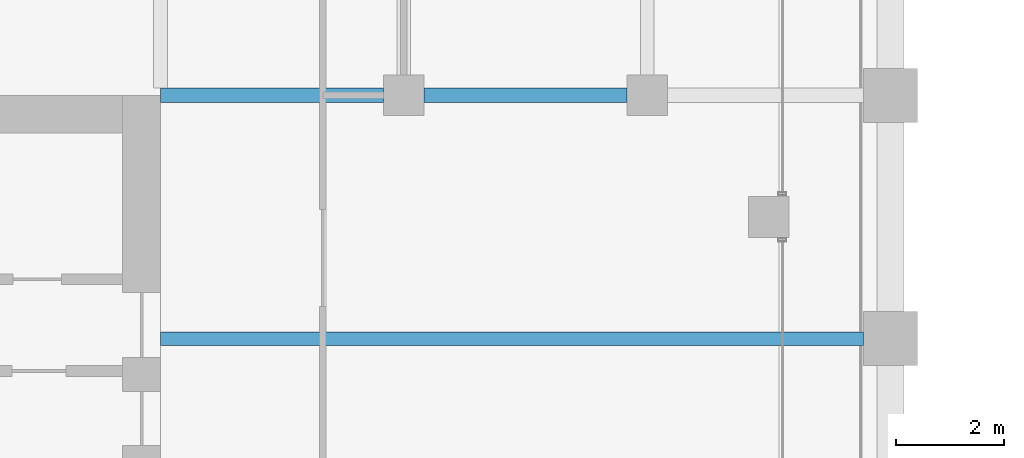
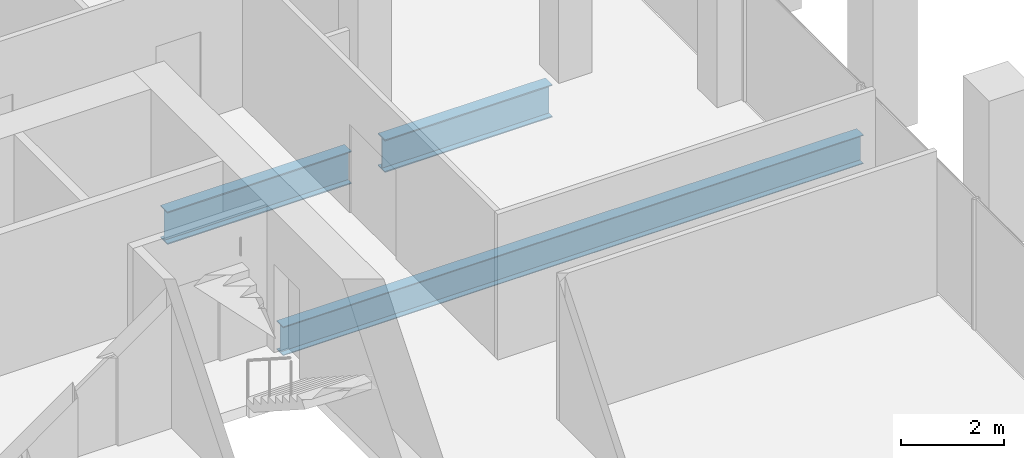
# One storey, part 18 of 46: 3 beams.
"""IFC4 building model written with IfcOpenShell, lengths in metres."""

from ifc_helpers import new_model, si_unit, direction, frame, origin, origin_2d, place, context, subcontext, project, spatial, i_section, extrude, material, material_profile, profile_set, type_object, element, save


model = new_model("IFC4")

# Units and contexts
model_context = context("Model", 3, precision=1e-05, world=origin(), true_north=direction((0.0, 1.0)))
body_context = subcontext(model_context, "Body", "Model", "MODEL_VIEW")
ifc_project = project(units=[si_unit("LENGTHUNIT", "METRE"), si_unit("AREAUNIT", "SQUARE_METRE"), si_unit("VOLUMEUNIT", "CUBIC_METRE"), si_unit("PLANEANGLEUNIT", "RADIAN"), si_unit("MASSUNIT", "GRAM", prefix="KILO")], contexts=[model_context])

# Site, building, storey
site_placement = place(None, origin())
site = spatial("IfcSite", under=ifc_project, at=site_placement, CompositionType="ELEMENT")
building_placement = place(site_placement, origin())
building = spatial("IfcBuilding", under=site, at=building_placement, Name="Altepetl Exchange Towers", CompositionType="ELEMENT")
storey_placement = place(building_placement, frame((0.0, 0.0, 128.0)))
storey = spatial("IfcBuildingStorey", under=building, at=storey_placement, Name="L31", CompositionType="ELEMENT", Elevation=128.0)

# Beams
ifc_material = material(Name="Steel S355", Category="steel")
ifc_material_profile_1 = material_profile(ifc_material, i_section(OverallWidth=0.25390625, OverallDepth=0.68408203125, WebThickness=0.012451171875, FlangeThickness=0.018798828125, at=origin_2d()), Name="W27X94")
ifc_profile_set_1 = profile_set([ifc_material_profile_1], Name="Steel S355")
beam_type_1 = type_object("IfcBeamType", Name="Floor beam W27X94", PredefinedType="BEAM", material=ifc_profile_set_1)
beam_1_placement = place(storey_placement, frame((58.5, 54.0, -0.491943359375), z_axis=(1.0, 0.0, 0.0), x_axis=(0.0, 1.0, 0.0)))
element("IfcBeam", 1, at=beam_1_placement, inside=storey, type_object=beam_type_1, Name="bm:A:L31:011", PredefinedType="BEAM", context=body_context, shape_type="SweptSolid", body=[
    extrude(i_section(OverallWidth=0.25390625, OverallDepth=0.68408203125, WebThickness=0.012451171875, FlangeThickness=0.018798828125, at=origin_2d()), origin(), (0.0, 0.0, 1.0), 13.0),
])
ifc_material_profile_2 = material_profile(ifc_material, i_section(OverallWidth=0.26806640625, OverallDepth=0.77392578125, WebThickness=0.015380859375, FlangeThickness=0.025390625, at=origin_2d()), Name="W30X132")
ifc_profile_set_2 = profile_set([ifc_material_profile_2], Name="Steel S355")
beam_type_2 = type_object("IfcBeamType", Name="Girder W30X132", PredefinedType="BEAM", material=ifc_profile_set_2)
beam_2_placement = place(storey_placement, frame((58.5, 58.5, -0.537109375), z_axis=(1.0, 0.0, 0.0), x_axis=(0.0, 1.0, 0.0)))
element("IfcBeam", 2, at=beam_2_placement, inside=storey, type_object=beam_type_2, Name="gd:A:L31:000", PredefinedType="BEAM", context=body_context, shape_type="SweptSolid", body=[
    extrude(i_section(OverallWidth=0.26806640625, OverallDepth=0.77392578125, WebThickness=0.015380859375, FlangeThickness=0.025390625, at=origin_2d()), origin(), (0.0, 0.0, 1.0), 4.125),
])
beam_3_placement = place(storey_placement, frame((63.375, 58.5, -0.537109375), z_axis=(1.0, 0.0, 0.0), x_axis=(0.0, 1.0, 0.0)))
element("IfcBeam", 3, at=beam_3_placement, inside=storey, type_object=beam_type_2, Name="gd:A:L31:001", PredefinedType="BEAM", context=body_context, shape_type="SweptSolid", body=[
    extrude(i_section(OverallWidth=0.26806640625, OverallDepth=0.77392578125, WebThickness=0.015380859375, FlangeThickness=0.025390625, at=origin_2d()), origin(), (0.0, 0.0, 1.0), 3.75),
])

save(model, "model.ifc")
